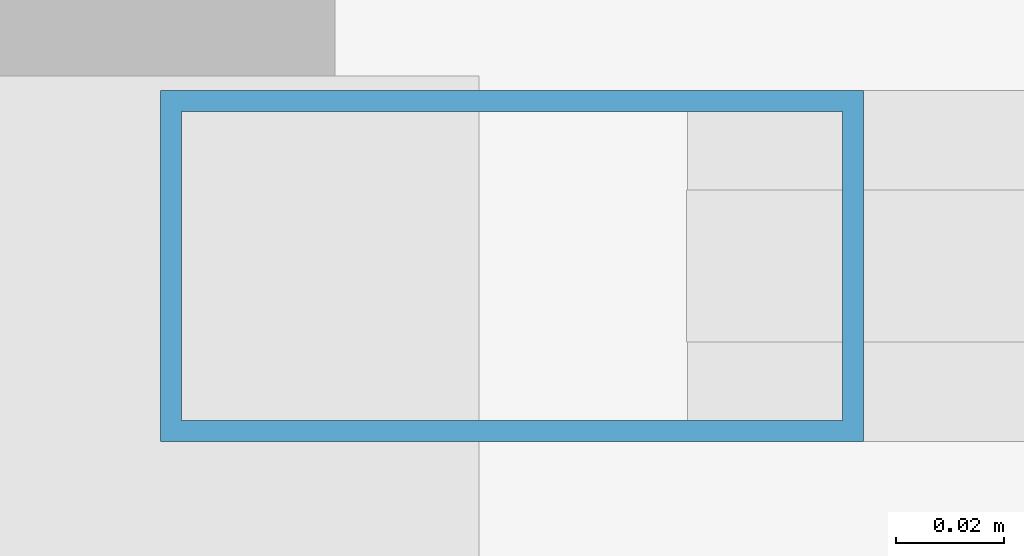
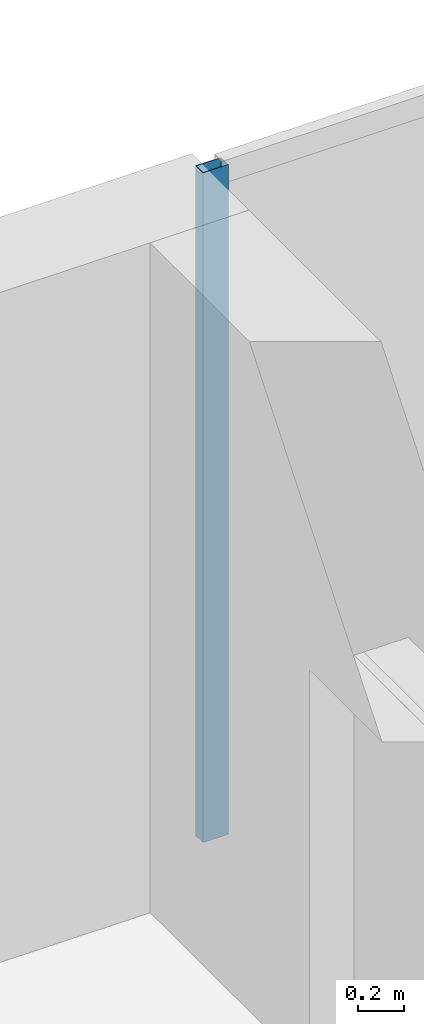
# One storey, part 8 of 16: 1 member, 1 element without a shape of its own.
"""IFC4 building model written with IfcOpenShell, lengths in metres."""

from ifc_helpers import new_model, si_unit, direction, frame, origin, origin_2d, place, context, subcontext, project, spatial, hollow_rectangle, extrude, material, material_profile, profile_set, type_object, element, aggregate, save


model = new_model("IFC4")

# Units and contexts
model_context = context("Model", 3, precision=1e-05, world=origin(), true_north=direction((0.0, 1.0)))
body_context = subcontext(model_context, "Body", "Model", "MODEL_VIEW")
ifc_project = project(units=[si_unit("LENGTHUNIT", "METRE"), si_unit("AREAUNIT", "SQUARE_METRE"), si_unit("VOLUMEUNIT", "CUBIC_METRE"), si_unit("PLANEANGLEUNIT", "RADIAN"), si_unit("MASSUNIT", "GRAM", prefix="KILO")], contexts=[model_context])

# Site, building, storey
site_placement = place(None, origin())
site = spatial("IfcSite", under=ifc_project, at=site_placement, CompositionType="ELEMENT")
building_placement = place(site_placement, origin())
building = spatial("IfcBuilding", under=site, at=building_placement, Name="Cobrela Telecom Tower", CompositionType="ELEMENT")
storey_placement = place(building_placement, frame((0.0, 0.0, 293.64990234375)))
storey = spatial("IfcBuildingStorey", under=building, at=storey_placement, Name="L77", CompositionType="ELEMENT", Elevation=293.64990234375)

# Curtain wall, member
ifc_material = material(Name="Anodized Bronze Aluminium 6063-T6", Category="aluminium")
curtain_wall_type = type_object("IfcCurtainWallType", Name="CW-SYS-DRUM", PredefinedType="USERDEFINED", material=ifc_material)
curtain_wall_placement = place(storey_placement, origin())
curtain_wall = element("IfcCurtainWall", 1, at=curtain_wall_placement, inside=storey, type_object=curtain_wall_type, Name="L77 Unitised Bronze Curtain Wall 01", ObjectType="UNITISED CURTAIN WALL", PredefinedType="USERDEFINED")
ifc_material_profile = material_profile(ifc_material, hollow_rectangle(XDim=0.06494140625, YDim=0.1298828125, WallThickness=0.00390625, at=origin_2d()), Name="ALU 65x130x4")
ifc_profile_set = profile_set([ifc_material_profile], Name="Anodized Bronze Aluminium 6063-T6")
member_type = type_object("IfcMemberType", Name="CW-SYS-DRUM-MUL", PredefinedType="MULLION", material=ifc_profile_set)
member_placement = place(storey_placement, frame((14.4326171875, 35.8798828125, 0.0), z_axis=(0.0, 0.0, 1.0), x_axis=(0.0, 1.0, 0.0)))
member = element("IfcMember", 2, at=member_placement, type_object=member_type, Name="CW-DRUM mullion 1", PredefinedType="MULLION", context=body_context, shape_type="SweptSolid", body=[
    extrude(hollow_rectangle(XDim=0.06494140625, YDim=0.1298828125, WallThickness=0.00390625, at=origin_2d()), origin(), (0.0, 0.0, 1.0), 3.590087890625),
])
aggregate(curtain_wall, [member])

save(model, "model.ifc")
